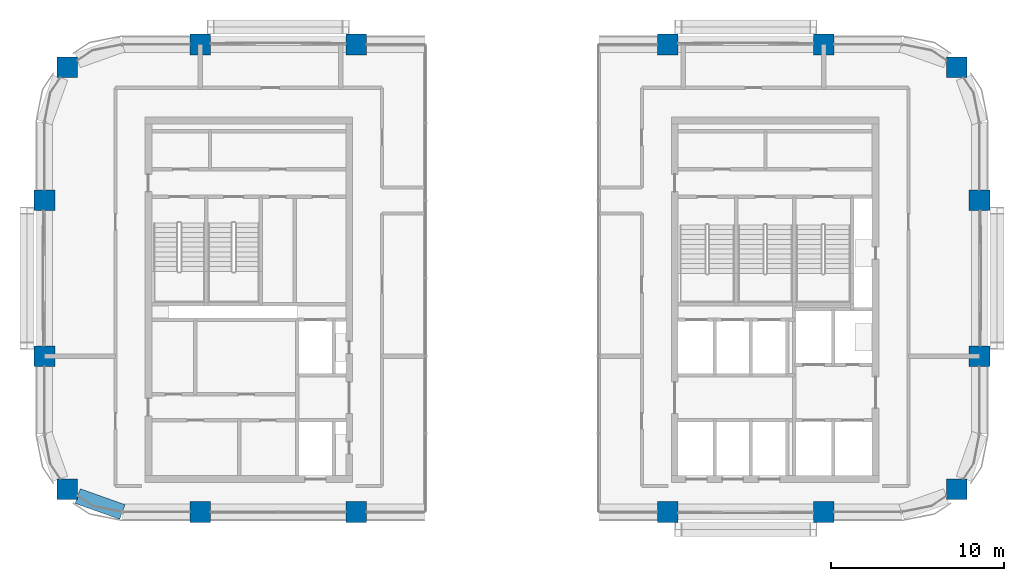
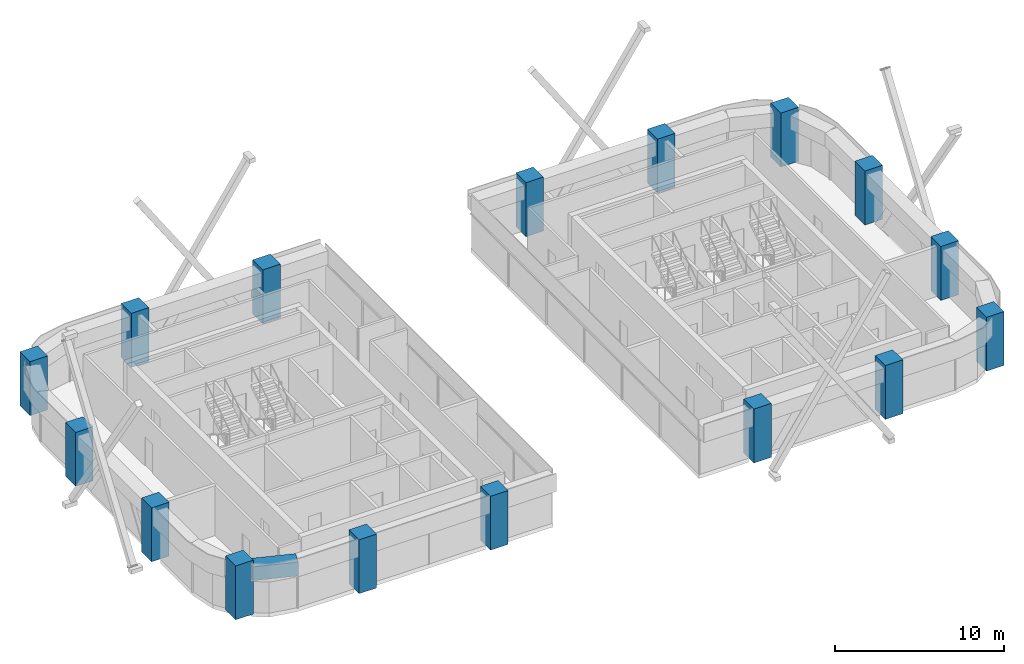
# One storey, part 1 of 14: 16 columns, 1 beam.
"""IFC4 building model written with IfcOpenShell, lengths in metres."""

from ifc_helpers import new_model, si_unit, direction, frame, origin, origin_2d, place, context, subcontext, project, spatial, rectangle, extrude, material, material_profile, profile_set, type_object, element, save


model = new_model("IFC4")

# Units and contexts
model_context = context("Model", 3, precision=1e-05, world=origin(), true_north=direction((0.0, 1.0)))
body_context = subcontext(model_context, "Body", "Model", "MODEL_VIEW")
ifc_project = project(units=[si_unit("LENGTHUNIT", "METRE"), si_unit("AREAUNIT", "SQUARE_METRE"), si_unit("VOLUMEUNIT", "CUBIC_METRE"), si_unit("PLANEANGLEUNIT", "RADIAN"), si_unit("MASSUNIT", "GRAM", prefix="KILO")], contexts=[model_context])

# Site, building, storey
site_placement = place(None, origin())
site = spatial("IfcSite", under=ifc_project, at=site_placement, CompositionType="ELEMENT")
building_placement = place(site_placement, origin())
building = spatial("IfcBuilding", under=site, at=building_placement, Name="Tessera Arch", CompositionType="ELEMENT")
storey_placement = place(building_placement, frame((0.0, 0.0, 215.0)))
storey = spatial("IfcBuildingStorey", under=building, at=storey_placement, Name="L51", CompositionType="ELEMENT", Elevation=215.0)

# Columns
ifc_material_1 = material(Name="Concrete C60/75", Category="concrete")
ifc_material_profile_1 = material_profile(ifc_material_1, rectangle(XDim=1.199951171875, YDim=1.199951171875, at=origin_2d()), Name="RC column 1200 x 1200 Concrete C60/75")
ifc_profile_set_1 = profile_set([ifc_material_profile_1], Name="Concrete C60/75")
column_type = type_object("IfcColumnType", Name="RC column 1200 x 1200 Concrete C60/75", PredefinedType="COLUMN", material=ifc_profile_set_1)
for number, where, z_axis, x_axis, name in (
    (1, (1.318115234375, 28.318115234375, 0.0), (0.0, 0.0, 1.0), (1.0, 0.0, 0.0), "Column C1D L51"),
    (2, (0.0, 36.0, 0.0), (0.0, 0.0, 1.0), (1.0, 0.0, 0.0), "Column C1E L51"),
    (3, (0.0, 45.0, 0.0), (0.0, 0.0, 1.0), (1.0, 0.0, 0.0), "Column C1F L51"),
    (4, (1.318115234375, 52.681884765625, 0.0), (0.0, 0.0, 1.0), (1.0, 0.0, 0.0), "Column C1G L51"),
    (5, (9.0, 27.0, 0.0), (0.0, 0.0, 1.0), (1.0, 0.0, 0.0), "Column C2D L51"),
    (6, (9.0, 54.0, 0.0), (0.0, 0.0, 1.0), (1.0, 0.0, 0.0), "Column C2G L51"),
    (7, (18.0, 27.0, 0.0), (0.0, 0.0, 1.0), (1.0, 0.0, 0.0), "Column C3D L51"),
    (8, (18.0, 54.0, 0.0), (0.0, 0.0, 1.0), (1.0, 0.0, 0.0), "Column C3G L51"),
    (9, (36.0, 27.0, 0.0), (0.0, 0.0, 1.0), (1.0, 0.0, 0.0), "Column C5D L51"),
    (10, (36.0, 54.0, 0.0), (0.0, 0.0, 1.0), (1.0, 0.0, 0.0), "Column C5G L51"),
    (11, (45.0, 27.0, 0.0), (0.0, 0.0, 1.0), (1.0, 0.0, 0.0), "Column C6D L51"),
    (12, (45.0, 54.0, 0.0), (0.0, 0.0, 1.0), (1.0, 0.0, 0.0), "Column C6G L51"),
    (13, (52.681884765625, 28.318115234375, 0.0), (0.0, 0.0, 1.0), (1.0, 0.0, 0.0), "Column C7D L51"),
    (14, (54.0, 36.0, 0.0), (0.0, 0.0, 1.0), (1.0, 0.0, 0.0), "Column C7E L51"),
    (15, (54.0, 45.0, 0.0), (0.0, 0.0, 1.0), (1.0, 0.0, 0.0), "Column C7F L51"),
    (16, (52.681884765625, 52.681884765625, 0.0), (0.0, 0.0, 1.0), (1.0, 0.0, 0.0), "Column C7G L51"),
):
    element("IfcColumn", number, at=place(storey_placement, frame(where, z_axis=z_axis, x_axis=x_axis)), inside=storey, type_object=column_type, Name=name, PredefinedType="COLUMN", context=body_context, shape_type="SweptSolid", body=[
        extrude(rectangle(XDim=1.199951171875, YDim=1.199951171875, at=origin_2d()), origin(), (0.0, 0.0, 1.0), 3.89990234375),
    ])

# Beam
ifc_material_2 = material(Name="Concrete C60/75", Category="concrete")
ifc_material_profile_2 = material_profile(ifc_material_2, rectangle(XDim=0.89990234375, YDim=1.0, at=origin_2d()), Name="RC spandrel beam 900 x 1000 Concrete C60/75")
ifc_profile_set_2 = profile_set([ifc_material_profile_2], Name="Concrete C60/75")
beam_type = type_object("IfcBeamType", Name="RC spandrel beam 900 x 1000 Concrete C60/75", PredefinedType="BEAM", material=ifc_profile_set_2)
beam_placement = place(storey_placement, frame((1.91796875, 27.9169921875, 3.10009765625), z_axis=(0.942337127159, -0.334665114373, 0.0), x_axis=(0.334665114373, 0.942337127159, 0.0)))
element("IfcBeam", 17, at=beam_placement, inside=storey, type_object=beam_type, Name="Spandrel beam L51 S27.0/2.1", PredefinedType="BEAM", context=body_context, shape_type="SweptSolid", body=[
    extrude(rectangle(XDim=0.89990234375, YDim=1.0, at=origin_2d()), origin(), (0.0, 0.0, 1.0), 2.739990234375),
])

save(model, "model.ifc")
